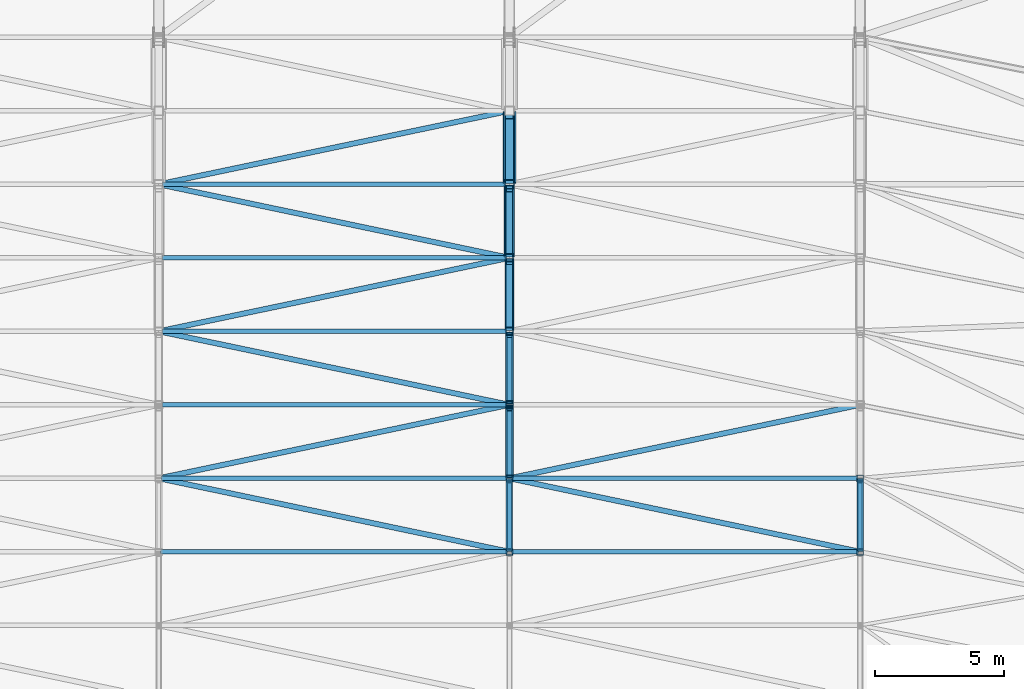
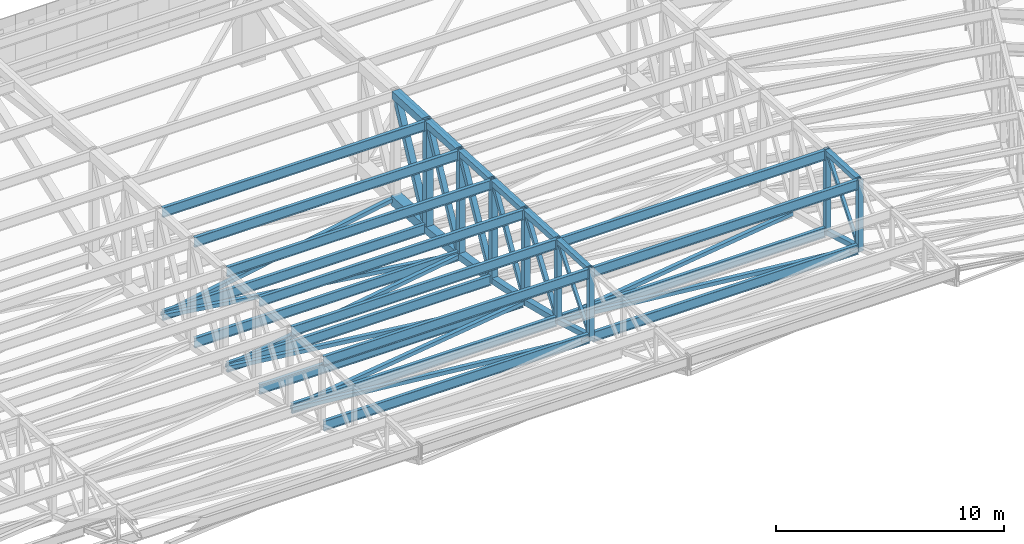
# One storey, part 86 of 278: 31 members, 22 beams.
"""IFC4 building model written with IfcOpenShell, lengths in metres."""

from ifc_helpers import new_model, si_unit, direction, frame, origin, origin_2d, place, context, subcontext, project, spatial, hollow_rectangle, i_section, extrude, material, material_profile, profile_set, type_object, element, save


model = new_model("IFC4")

# Units and contexts
model_context = context("Model", 3, precision=1e-05, world=origin(), true_north=direction((0.0, 1.0)))
body_context = subcontext(model_context, "Body", "Model", "MODEL_VIEW")
ifc_project = project(units=[si_unit("LENGTHUNIT", "METRE"), si_unit("AREAUNIT", "SQUARE_METRE"), si_unit("VOLUMEUNIT", "CUBIC_METRE"), si_unit("PLANEANGLEUNIT", "RADIAN"), si_unit("MASSUNIT", "GRAM", prefix="KILO")], contexts=[model_context])

# Site, building, storey
site_placement = place(None, origin())
site = spatial("IfcSite", under=ifc_project, at=site_placement, CompositionType="ELEMENT")
building_placement = place(site_placement, origin())
building = spatial("IfcBuilding", under=site, at=building_placement, Name="Ogive Plaza Stadium", CompositionType="ELEMENT")
storey_placement = place(building_placement, frame((0.0, 0.0, 29.0)))
storey = spatial("IfcBuildingStorey", under=building, at=storey_placement, Name="Roof", CompositionType="ELEMENT", Elevation=29.0)

# Members
ifc_material_1 = material(Name="Steel ASTM A500 Grade C", Category="steel")
ifc_material_profile_1 = material_profile(ifc_material_1, hollow_rectangle(XDim=0.203125, YDim=0.203125, WallThickness=0.0087890625, at=origin_2d()), Name="HSS8X8X3/8")
ifc_profile_set_1 = profile_set([ifc_material_profile_1], Name="Steel ASTM A500 Grade C")
member_type_1 = type_object("IfcMemberType", Name="Roof plan brace HSS8X8X3/8", PredefinedType="BRACE", material=ifc_profile_set_1)
member_1_placement = place(storey_placement, frame((20.306884765625, 72.569580078125, 3.269775390625), z_axis=(-0.977081723689, 0.204756162013, -0.058191230868), x_axis=(-0.205103719581, -0.978740243483, 0.0)))
element("IfcMember", 1, at=member_1_placement, inside=storey, type_object=member_type_1, Name="ROOF BRACE B35 4", PredefinedType="BRACE", context=body_context, shape_type="SweptSolid", body=[
    extrude(hollow_rectangle(XDim=0.203125, YDim=0.203125, WallThickness=0.0087890625, at=origin_2d()), origin(), (0.0, 0.0, 1.0), 13.702392578125),
])
member_2_placement = place(storey_placement, frame((6.91845703125, 75.4248046875, 2.459228515625), z_axis=(0.977474612888, 0.204849020574, -0.05079625901), x_axis=(-0.205113814972, 0.97873812785, 0.0)))
element("IfcMember", 2, at=member_2_placement, inside=storey, type_object=member_type_1, Name="ROOF BRACE B35 5", PredefinedType="BRACE", context=body_context, shape_type="SweptSolid", body=[
    extrude(hollow_rectangle(XDim=0.203125, YDim=0.203125, WallThickness=0.0087890625, at=origin_2d()), origin(), (0.0, 0.0, 1.0), 13.64501953125),
])
member_3_placement = place(storey_placement, frame((20.256103515625, 78.280029296875, 1.752685546875), z_axis=(-0.977965523229, 0.204948228106, -0.039744926357), x_axis=(-0.205110294312, -0.978738865667, 0.0)))
element("IfcMember", 3, at=member_3_placement, inside=storey, type_object=member_type_1, Name="ROOF BRACE B35 6", PredefinedType="BRACE", context=body_context, shape_type="SweptSolid", body=[
    extrude(hollow_rectangle(XDim=0.203125, YDim=0.203125, WallThickness=0.0087890625, at=origin_2d()), origin(), (0.0, 0.0, 1.0), 13.6123046875),
])
member_4_placement = place(storey_placement, frame((6.94384765625, 81.130126953125, 1.201416015625), z_axis=(0.978282447902, 0.205014644711, -0.030536004664), x_axis=(-0.205110294312, 0.978738865667, 0.0)))
element("IfcMember", 4, at=member_4_placement, inside=storey, type_object=member_type_1, Name="ROOF BRACE B35 7", PredefinedType="BRACE", context=body_context, shape_type="SweptSolid", body=[
    extrude(hollow_rectangle(XDim=0.203125, YDim=0.203125, WallThickness=0.0087890625, at=origin_2d()), origin(), (0.0, 0.0, 1.0), 13.607666015625),
])
member_5_placement = place(storey_placement, frame((20.256103515625, 83.980224609375, 0.778564453125), z_axis=(-0.978554365022, 0.205067940633, -0.019454933079), x_axis=(-0.205106760189, -0.978739606292, 0.0)))
element("IfcMember", 5, at=member_5_placement, inside=storey, type_object=member_type_1, Name="ROOF BRACE B35 8", PredefinedType="BRACE", context=body_context, shape_type="SweptSolid", body=[
    extrude(hollow_rectangle(XDim=0.203125, YDim=0.203125, WallThickness=0.0087890625, at=origin_2d()), origin(), (0.0, 0.0, 1.0), 13.578125),
])
member_6_placement = place(storey_placement, frame((6.96923828125, 86.83544921875, 0.50927734375), z_axis=(0.9786892756, 0.205092509512, -0.010215887981), x_axis=(-0.205103212524, 0.978740349742, 0.0)))
element("IfcMember", 6, at=member_6_placement, inside=storey, type_object=member_type_1, Name="ROOF BRACE B35 9", PredefinedType="BRACE", context=body_context, shape_type="SweptSolid", body=[
    extrude(hollow_rectangle(XDim=0.203125, YDim=0.203125, WallThickness=0.0087890625, at=origin_2d()), origin(), (0.0, 0.0, 1.0), 13.55029296875),
])
member_7_placement = place(storey_placement, frame((33.906982421875, 72.569580078125, 3.269775390625), z_axis=(-0.977081723689, 0.204756162013, -0.058191230868), x_axis=(-0.205103719581, -0.978740243483, 0.0)))
element("IfcMember", 7, at=member_7_placement, inside=storey, type_object=member_type_1, Name="ROOF BRACE B36 4", PredefinedType="BRACE", context=body_context, shape_type="SweptSolid", body=[
    extrude(hollow_rectangle(XDim=0.203125, YDim=0.203125, WallThickness=0.0087890625, at=origin_2d()), origin(), (0.0, 0.0, 1.0), 13.702392578125),
])
member_8_placement = place(storey_placement, frame((20.5185546875, 75.4248046875, 2.459228515625), z_axis=(0.977474612888, 0.204849020574, -0.05079625901), x_axis=(-0.205113814972, 0.97873812785, 0.0)))
element("IfcMember", 8, at=member_8_placement, inside=storey, type_object=member_type_1, Name="ROOF BRACE B36 5", PredefinedType="BRACE", context=body_context, shape_type="SweptSolid", body=[
    extrude(hollow_rectangle(XDim=0.203125, YDim=0.203125, WallThickness=0.0087890625, at=origin_2d()), origin(), (0.0, 0.0, 1.0), 13.64501953125),
])
ifc_material_2 = material(Name="Steel ASTM A992 Grade 50", Category="steel")
ifc_material_profile_2 = material_profile(ifc_material_2, i_section(OverallWidth=0.1650390625, OverallDepth=0.524658203125, WebThickness=0.0087890625, FlangeThickness=0.011474609375, at=origin_2d()), Name="W21X44")
ifc_profile_set_2 = profile_set([ifc_material_profile_2], Name="Steel ASTM A992 Grade 50")
member_type_2 = type_object("IfcMemberType", Name="Roof plan strut W21X44", PredefinedType="STRUT", material=ifc_profile_set_2)
member_9_placement = place(storey_placement, frame((6.87158203125, 72.550048828125, 3.275146484375), z_axis=(1.0, 0.0, 0.0), x_axis=(0.0, 1.0, 0.0)))
element("IfcMember", 9, at=member_9_placement, inside=storey, type_object=member_type_2, Name="ROOF STRUT B35 3", PredefinedType="STRUT", context=body_context, shape_type="SweptSolid", body=[
    extrude(i_section(OverallWidth=0.1650390625, OverallDepth=0.524658203125, WebThickness=0.0087890625, FlangeThickness=0.011474609375, at=origin_2d()), origin(), (0.0, 0.0, 1.0), 13.456787109375),
])
member_10_placement = place(storey_placement, frame((6.89697265625, 75.39990234375, 2.46533203125), z_axis=(1.0, 0.0, 0.0), x_axis=(0.0, 1.0, 0.0)))
element("IfcMember", 10, at=member_10_placement, inside=storey, type_object=member_type_2, Name="ROOF STRUT B35 4", PredefinedType="STRUT", context=body_context, shape_type="SweptSolid", body=[
    extrude(i_section(OverallWidth=0.1650390625, OverallDepth=0.524658203125, WebThickness=0.0087890625, FlangeThickness=0.011474609375, at=origin_2d()), origin(), (0.0, 0.0, 1.0), 13.406005859375),
])
for number, where, z_axis, x_axis, name in (
    (11, (6.92236328125, 78.25, 1.758544921875), (1.0, 0.0, 0.0), (0.0, 1.0, 0.0), "ROOF STRUT B35 5"),
    (12, (6.92236328125, 81.10009765625, 1.205810546875), (1.0, 0.0, 0.0), (0.0, 1.0, 0.0), "ROOF STRUT B35 6"),
    (13, (6.92236328125, 83.949951171875, 0.781494140625), (1.0, 0.0, 0.0), (0.0, 1.0, 0.0), "ROOF STRUT B35 7"),
):
    element("IfcMember", number, at=place(storey_placement, frame(where, z_axis=z_axis, x_axis=x_axis)), inside=storey, type_object=member_type_2, Name=name, PredefinedType="STRUT", context=body_context, shape_type="SweptSolid", body=[
        extrude(i_section(OverallWidth=0.1650390625, OverallDepth=0.524658203125, WebThickness=0.0087890625, FlangeThickness=0.011474609375, at=origin_2d()), origin(), (0.0, 0.0, 1.0), 13.355224609375),
    ])
member_11_placement = place(storey_placement, frame((6.94775390625, 86.800048828125, 0.510986328125), z_axis=(1.0, 0.0, 0.0), x_axis=(0.0, 1.0, 0.0)))
element("IfcMember", 14, at=member_11_placement, inside=storey, type_object=member_type_2, Name="ROOF STRUT B35 8", PredefinedType="STRUT", context=body_context, shape_type="SweptSolid", body=[
    extrude(i_section(OverallWidth=0.1650390625, OverallDepth=0.524658203125, WebThickness=0.0087890625, FlangeThickness=0.011474609375, at=origin_2d()), origin(), (0.0, 0.0, 1.0), 13.304443359375),
])
member_12_placement = place(storey_placement, frame((20.4716796875, 72.550048828125, 3.275146484375), z_axis=(1.0, 0.0, 0.0), x_axis=(0.0, 1.0, 0.0)))
element("IfcMember", 15, at=member_12_placement, inside=storey, type_object=member_type_2, Name="ROOF STRUT B36 3", PredefinedType="STRUT", context=body_context, shape_type="SweptSolid", body=[
    extrude(i_section(OverallWidth=0.1650390625, OverallDepth=0.524658203125, WebThickness=0.0087890625, FlangeThickness=0.011474609375, at=origin_2d()), origin(), (0.0, 0.0, 1.0), 13.456787109375),
])
member_13_placement = place(storey_placement, frame((20.4970703125, 75.39990234375, 2.46533203125), z_axis=(1.0, 0.0, 0.0), x_axis=(0.0, 1.0, 0.0)))
element("IfcMember", 16, at=member_13_placement, inside=storey, type_object=member_type_2, Name="ROOF STRUT B36 4", PredefinedType="STRUT", context=body_context, shape_type="SweptSolid", body=[
    extrude(i_section(OverallWidth=0.1650390625, OverallDepth=0.524658203125, WebThickness=0.0087890625, FlangeThickness=0.011474609375, at=origin_2d()), origin(), (0.0, 0.0, 1.0), 13.406005859375),
])
ifc_material_3 = material(Name="Steel ASTM A992 Grade 50", Category="steel")
ifc_material_profile_3 = material_profile(ifc_material_3, i_section(OverallWidth=0.1650390625, OverallDepth=0.524658203125, WebThickness=0.0087890625, FlangeThickness=0.011474609375, at=origin_2d()), Name="W21X44")
ifc_profile_set_3 = profile_set([ifc_material_profile_3], Name="Steel ASTM A992 Grade 50")
member_type_3 = type_object("IfcMemberType", Name="Roof purlin W21X44", PredefinedType="PURLIN", material=ifc_profile_set_3)
member_14_placement = place(storey_placement, frame((6.87158203125, 72.550048828125, 6.735107421875), z_axis=(1.0, 0.0, 0.0), x_axis=(0.0, 1.0, 0.0)))
element("IfcMember", 17, at=member_14_placement, inside=storey, type_object=member_type_3, Name="ROOF PURLIN B35 3", PredefinedType="PURLIN", context=body_context, shape_type="SweptSolid", body=[
    extrude(i_section(OverallWidth=0.1650390625, OverallDepth=0.524658203125, WebThickness=0.0087890625, FlangeThickness=0.011474609375, at=origin_2d()), origin(), (0.0, 0.0, 1.0), 13.456787109375),
])
member_15_placement = place(storey_placement, frame((6.89697265625, 75.39990234375, 6.592529296875), z_axis=(1.0, 0.0, 0.0), x_axis=(0.0, 1.0, 0.0)))
element("IfcMember", 18, at=member_15_placement, inside=storey, type_object=member_type_3, Name="ROOF PURLIN B35 4", PredefinedType="PURLIN", context=body_context, shape_type="SweptSolid", body=[
    extrude(i_section(OverallWidth=0.1650390625, OverallDepth=0.524658203125, WebThickness=0.0087890625, FlangeThickness=0.011474609375, at=origin_2d()), origin(), (0.0, 0.0, 1.0), 13.406005859375),
])
for number, where, z_axis, x_axis, name in (
    (19, (6.92236328125, 78.25, 6.4501953125), (1.0, 0.0, 0.0), (0.0, 1.0, 0.0), "ROOF PURLIN B35 5"),
    (20, (6.92236328125, 81.10009765625, 6.3076171875), (1.0, 0.0, 0.0), (0.0, 1.0, 0.0), "ROOF PURLIN B35 6"),
    (21, (6.92236328125, 83.949951171875, 6.1650390625), (1.0, 0.0, 0.0), (0.0, 1.0, 0.0), "ROOF PURLIN B35 7"),
):
    element("IfcMember", number, at=place(storey_placement, frame(where, z_axis=z_axis, x_axis=x_axis)), inside=storey, type_object=member_type_3, Name=name, PredefinedType="PURLIN", context=body_context, shape_type="SweptSolid", body=[
        extrude(i_section(OverallWidth=0.1650390625, OverallDepth=0.524658203125, WebThickness=0.0087890625, FlangeThickness=0.011474609375, at=origin_2d()), origin(), (0.0, 0.0, 1.0), 13.355224609375),
    ])
member_16_placement = place(storey_placement, frame((6.94775390625, 86.800048828125, 6.022705078125), z_axis=(1.0, 0.0, 0.0), x_axis=(0.0, 1.0, 0.0)))
element("IfcMember", 22, at=member_16_placement, inside=storey, type_object=member_type_3, Name="ROOF PURLIN B35 8", PredefinedType="PURLIN", context=body_context, shape_type="SweptSolid", body=[
    extrude(i_section(OverallWidth=0.1650390625, OverallDepth=0.524658203125, WebThickness=0.0087890625, FlangeThickness=0.011474609375, at=origin_2d()), origin(), (0.0, 0.0, 1.0), 13.304443359375),
])
member_17_placement = place(storey_placement, frame((20.4716796875, 72.550048828125, 6.735107421875), z_axis=(1.0, 0.0, 0.0), x_axis=(0.0, 1.0, 0.0)))
element("IfcMember", 23, at=member_17_placement, inside=storey, type_object=member_type_3, Name="ROOF PURLIN B36 3", PredefinedType="PURLIN", context=body_context, shape_type="SweptSolid", body=[
    extrude(i_section(OverallWidth=0.1650390625, OverallDepth=0.524658203125, WebThickness=0.0087890625, FlangeThickness=0.011474609375, at=origin_2d()), origin(), (0.0, 0.0, 1.0), 13.456787109375),
])
member_18_placement = place(storey_placement, frame((20.4970703125, 75.39990234375, 6.592529296875), z_axis=(1.0, 0.0, 0.0), x_axis=(0.0, 1.0, 0.0)))
element("IfcMember", 24, at=member_18_placement, inside=storey, type_object=member_type_3, Name="ROOF PURLIN B36 4", PredefinedType="PURLIN", context=body_context, shape_type="SweptSolid", body=[
    extrude(i_section(OverallWidth=0.1650390625, OverallDepth=0.524658203125, WebThickness=0.0087890625, FlangeThickness=0.011474609375, at=origin_2d()), origin(), (0.0, 0.0, 1.0), 13.406005859375),
])

# Beams
ifc_material_4 = material(Name="Steel ASTM A500 Grade C", Category="steel")
ifc_material_profile_4 = material_profile(ifc_material_4, hollow_rectangle(XDim=0.25390625, YDim=0.25390625, WallThickness=0.01171875, at=origin_2d()), Name="HSS10X10X1/2")
ifc_profile_set_4 = profile_set([ifc_material_profile_4], Name="Steel ASTM A500 Grade C")
beam_type_1 = type_object("IfcBeamType", Name="Roof truss bottom chord HSS10X10X1/2", PredefinedType="BEAM", material=ifc_profile_set_4)
for number, where, z_axis, x_axis, name in (
    (25, (20.39990234375, 72.60009765625, 3.265869140625), (0.0, 0.959640437259, -0.281229854705), (-1.0, 0.0, 0.0), "ROOF TRUSS T36 BOTTOM CHORD 4"),
    (26, (34.0, 72.60009765625, 3.265869140625), (0.0, 0.959640437259, -0.281229854705), (-1.0, 0.0, 0.0), "ROOF TRUSS T37 BOTTOM CHORD 4"),
):
    element("IfcBeam", number, at=place(storey_placement, frame(where, z_axis=z_axis, x_axis=x_axis)), inside=storey, type_object=beam_type_1, Name=name, PredefinedType="BEAM", context=body_context, shape_type="SweptSolid", body=[
        extrude(hollow_rectangle(XDim=0.25390625, YDim=0.25390625, WallThickness=0.01171875, at=origin_2d()), origin(), (0.0, 0.0, 1.0), 2.86572265625),
    ])
ifc_material_5 = material(Name="Steel ASTM A500 Grade C", Category="steel")
ifc_material_profile_5 = material_profile(ifc_material_5, hollow_rectangle(XDim=0.3046875, YDim=0.3046875, WallThickness=0.0146484375, at=origin_2d()), Name="HSS12X12X5/8")
ifc_profile_set_5 = profile_set([ifc_material_profile_5], Name="Steel ASTM A500 Grade C")
beam_type_2 = type_object("IfcBeamType", Name="Roof truss bottom chord HSS12X12X5/8", PredefinedType="BEAM", material=ifc_profile_set_5)
beam_1_placement = place(storey_placement, frame((20.39990234375, 75.449951171875, 2.45751953125), z_axis=(0.0, 0.970607032995, -0.240669872439), x_axis=(-1.0, 0.0, 0.0)))
element("IfcBeam", 27, at=beam_1_placement, inside=storey, type_object=beam_type_2, Name="ROOF TRUSS T36 BOTTOM CHORD 5", PredefinedType="BEAM", context=body_context, shape_type="SweptSolid", body=[
    extrude(hollow_rectangle(XDim=0.3046875, YDim=0.3046875, WallThickness=0.0146484375, at=origin_2d()), origin(), (0.0, 0.0, 1.0), 2.833251953125),
])
beam_2_placement = place(storey_placement, frame((20.39990234375, 78.300048828125, 1.751708984375), z_axis=(0.0, 0.980021250437, -0.19889280704), x_axis=(-1.0, 0.0, 0.0)))
element("IfcBeam", 28, at=beam_2_placement, inside=storey, type_object=beam_type_2, Name="ROOF TRUSS T36 BOTTOM CHORD 6", PredefinedType="BEAM", context=body_context, shape_type="SweptSolid", body=[
    extrude(hollow_rectangle(XDim=0.3046875, YDim=0.3046875, WallThickness=0.0146484375, at=origin_2d()), origin(), (0.0, 0.0, 1.0), 2.80615234375),
])
ifc_material_6 = material(Name="Steel ASTM A500 Grade C", Category="steel")
ifc_material_profile_6 = material_profile(ifc_material_6, hollow_rectangle(XDim=0.355712890625, YDim=0.355712890625, WallThickness=0.0146484375, at=origin_2d()), Name="HSS14X14X5/8")
ifc_profile_set_6 = profile_set([ifc_material_profile_6], Name="Steel ASTM A500 Grade C")
beam_type_3 = type_object("IfcBeamType", Name="Roof truss bottom chord HSS14X14X5/8", PredefinedType="BEAM", material=ifc_profile_set_6)
beam_3_placement = place(storey_placement, frame((20.39990234375, 81.14990234375, 1.2001953125), z_axis=(0.0, 0.987770074518, -0.155917541947), x_axis=(-1.0, 0.0, 0.0)))
element("IfcBeam", 29, at=beam_3_placement, inside=storey, type_object=beam_type_3, Name="ROOF TRUSS T36 BOTTOM CHORD 7", PredefinedType="BEAM", context=body_context, shape_type="SweptSolid", body=[
    extrude(hollow_rectangle(XDim=0.355712890625, YDim=0.355712890625, WallThickness=0.0146484375, at=origin_2d()), origin(), (0.0, 0.0, 1.0), 2.783935546875),
])
ifc_material_7 = material(Name="Steel ASTM A500 Grade C", Category="steel")
ifc_material_profile_7 = material_profile(ifc_material_7, hollow_rectangle(XDim=0.406494140625, YDim=0.406494140625, WallThickness=0.0146484375, at=origin_2d()), Name="HSS16X16X5/8")
ifc_profile_set_7 = profile_set([ifc_material_profile_7], Name="Steel ASTM A500 Grade C")
beam_type_4 = type_object("IfcBeamType", Name="Roof truss bottom chord HSS16X16X5/8", PredefinedType="BEAM", material=ifc_profile_set_7)
beam_4_placement = place(storey_placement, frame((20.39990234375, 84.0, 0.777099609375), z_axis=(0.0, 0.993703844406, -0.112038696946), x_axis=(-1.0, 0.0, 0.0)))
element("IfcBeam", 30, at=beam_4_placement, inside=storey, type_object=beam_type_4, Name="ROOF TRUSS T36 BOTTOM CHORD 8", PredefinedType="BEAM", context=body_context, shape_type="SweptSolid", body=[
    extrude(hollow_rectangle(XDim=0.406494140625, YDim=0.406494140625, WallThickness=0.0146484375, at=origin_2d()), origin(), (0.0, 0.0, 1.0), 2.767333984375),
])
ifc_material_8 = material(Name="Steel ASTM A500 Grade C", Category="steel")
ifc_material_profile_8 = material_profile(ifc_material_8, hollow_rectangle(XDim=0.508056640625, YDim=0.508056640625, WallThickness=0.0146484375, at=origin_2d()), Name="HSS20X20X5/8")
ifc_profile_set_8 = profile_set([ifc_material_profile_8], Name="Steel ASTM A500 Grade C")
beam_type_5 = type_object("IfcBeamType", Name="Roof truss bottom chord HSS20X20X5/8", PredefinedType="BEAM", material=ifc_profile_set_8)
beam_5_placement = place(storey_placement, frame((20.39990234375, 86.85009765625, 0.50830078125), z_axis=(0.0, 0.997719620387, -0.06749488199), x_axis=(-1.0, 0.0, 0.0)))
element("IfcBeam", 31, at=beam_5_placement, inside=storey, type_object=beam_type_5, Name="ROOF TRUSS T36 BOTTOM CHORD 9", PredefinedType="BEAM", context=body_context, shape_type="SweptSolid", body=[
    extrude(hollow_rectangle(XDim=0.508056640625, YDim=0.508056640625, WallThickness=0.0146484375, at=origin_2d()), origin(), (0.0, 0.0, 1.0), 2.75634765625),
])

# Members
ifc_material_9 = material(Name="Steel ASTM A500 Grade C", Category="steel")
ifc_material_profile_9 = material_profile(ifc_material_9, hollow_rectangle(XDim=0.25390625, YDim=0.25390625, WallThickness=0.0087890625, at=origin_2d()), Name="HSS10X10X3/8")
ifc_profile_set_9 = profile_set([ifc_material_profile_9], Name="Steel ASTM A500 Grade C")
member_type_4 = type_object("IfcMemberType", Name="Roof truss diagonal HSS10X10X3/8", PredefinedType="BRACE", material=ifc_profile_set_9)
member_19_placement = place(storey_placement, frame((20.39990234375, 81.25244140625, 1.383544921875), z_axis=(0.0, 0.473127942579, 0.880993728667), x_axis=(-1.0, 0.0, 0.0)))
element("IfcMember", 32, at=member_19_placement, inside=storey, type_object=member_type_4, Name="ROOF TRUSS T36 DIAGONAL 7", PredefinedType="BRACE", context=body_context, shape_type="SweptSolid", body=[
    extrude(hollow_rectangle(XDim=0.25390625, YDim=0.25390625, WallThickness=0.0087890625, at=origin_2d()), origin(), (0.0, 0.0, 1.0), 5.37939453125),
])
member_20_placement = place(storey_placement, frame((20.39990234375, 84.102294921875, 0.984619140625), z_axis=(0.0, 0.454062843231, 0.890969659639), x_axis=(-1.0, 0.0, 0.0)))
element("IfcMember", 33, at=member_20_placement, inside=storey, type_object=member_type_4, Name="ROOF TRUSS T36 DIAGONAL 8", PredefinedType="BRACE", context=body_context, shape_type="SweptSolid", body=[
    extrude(hollow_rectangle(XDim=0.25390625, YDim=0.25390625, WallThickness=0.0087890625, at=origin_2d()), origin(), (0.0, 0.0, 1.0), 5.550048828125),
])
ifc_material_10 = material(Name="Steel ASTM A500 Grade C", Category="steel")
ifc_material_profile_10 = material_profile(ifc_material_10, hollow_rectangle(XDim=0.3046875, YDim=0.3046875, WallThickness=0.0087890625, at=origin_2d()), Name="HSS12X12X3/8")
ifc_profile_set_10 = profile_set([ifc_material_profile_10], Name="Steel ASTM A500 Grade C")
member_type_5 = type_object("IfcMemberType", Name="Roof truss diagonal HSS12X12X3/8", PredefinedType="BRACE", material=ifc_profile_set_10)
member_21_placement = place(storey_placement, frame((20.39990234375, 86.977783203125, 0.764892578125), z_axis=(0.0, 0.448477330766, 0.893794206621), x_axis=(-1.0, 0.0, 0.0)))
element("IfcMember", 34, at=member_21_placement, inside=storey, type_object=member_type_5, Name="ROOF TRUSS T36 DIAGONAL 9", PredefinedType="BRACE", context=body_context, shape_type="SweptSolid", body=[
    extrude(hollow_rectangle(XDim=0.3046875, YDim=0.3046875, WallThickness=0.0087890625, at=origin_2d()), origin(), (0.0, 0.0, 1.0), 5.56201171875),
])
ifc_material_11 = material(Name="Steel ASTM A500 Grade C", Category="steel")
ifc_material_profile_11 = material_profile(ifc_material_11, hollow_rectangle(XDim=0.15234375, YDim=0.15234375, WallThickness=0.0087890625, at=origin_2d()), Name="HSS6X6X3/8")
ifc_profile_set_11 = profile_set([ifc_material_profile_11], Name="Steel ASTM A500 Grade C")
member_type_6 = type_object("IfcMemberType", Name="Roof truss diagonal HSS6X6X3/8", PredefinedType="BRACE", material=ifc_profile_set_11)
for number, where, z_axis, x_axis, name in (
    (35, (20.39990234375, 72.677001953125, 3.40234375), (0.0, 0.630150764463, 0.77647280316), (-1.0, 0.0, 0.0), "ROOF TRUSS T36 DIAGONAL 4"),
    (36, (34.0, 72.677001953125, 3.40234375), (0.0, 0.630150764463, 0.77647280316), (-1.0, 0.0, 0.0), "ROOF TRUSS T37 DIAGONAL 4"),
):
    element("IfcMember", number, at=place(storey_placement, frame(where, z_axis=z_axis, x_axis=x_axis)), inside=storey, type_object=member_type_6, Name=name, PredefinedType="BRACE", context=body_context, shape_type="SweptSolid", body=[
        extrude(hollow_rectangle(XDim=0.15234375, YDim=0.15234375, WallThickness=0.0087890625, at=origin_2d()), origin(), (0.0, 0.0, 1.0), 4.11962890625),
    ])
ifc_material_12 = material(Name="Steel ASTM A500 Grade C", Category="steel")
ifc_material_profile_12 = material_profile(ifc_material_12, hollow_rectangle(XDim=0.203125, YDim=0.203125, WallThickness=0.0087890625, at=origin_2d()), Name="HSS8X8X3/8")
ifc_profile_set_12 = profile_set([ifc_material_profile_12], Name="Steel ASTM A500 Grade C")
member_type_7 = type_object("IfcMemberType", Name="Roof truss diagonal HSS8X8X3/8", PredefinedType="BRACE", material=ifc_profile_set_12)
member_22_placement = place(storey_placement, frame((20.39990234375, 75.527099609375, 2.617919921875), z_axis=(0.0, 0.561338440243, 0.827586343233), x_axis=(-1.0, 0.0, 0.0)))
element("IfcMember", 37, at=member_22_placement, inside=storey, type_object=member_type_7, Name="ROOF TRUSS T36 DIAGONAL 5", PredefinedType="BRACE", context=body_context, shape_type="SweptSolid", body=[
    extrude(hollow_rectangle(XDim=0.203125, YDim=0.203125, WallThickness=0.0087890625, at=origin_2d()), origin(), (0.0, 0.0, 1.0), 4.579345703125),
])
member_23_placement = place(storey_placement, frame((20.39990234375, 78.40234375, 1.9111328125), z_axis=(0.0, 0.504659398762, 0.863318534054), x_axis=(-1.0, 0.0, 0.0)))
element("IfcMember", 38, at=member_23_placement, inside=storey, type_object=member_type_7, Name="ROOF TRUSS T36 DIAGONAL 6", PredefinedType="BRACE", context=body_context, shape_type="SweptSolid", body=[
    extrude(hollow_rectangle(XDim=0.203125, YDim=0.203125, WallThickness=0.0087890625, at=origin_2d()), origin(), (0.0, 0.0, 1.0), 5.043212890625),
])

# Beams
ifc_material_13 = material(Name="Steel ASTM A500 Grade C", Category="steel")
ifc_material_profile_13 = material_profile(ifc_material_13, hollow_rectangle(XDim=0.25390625, YDim=0.25390625, WallThickness=0.01171875, at=origin_2d()), Name="HSS10X10X1/2")
ifc_profile_set_13 = profile_set([ifc_material_profile_13], Name="Steel ASTM A500 Grade C")
beam_type_6 = type_object("IfcBeamType", Name="Roof truss post HSS10X10X1/2", PredefinedType="BEAM", material=ifc_profile_set_13)
beam_6_placement = place(storey_placement, frame((20.39990234375, 72.550048828125, 3.148193359375), z_axis=(0.0, 0.0, 1.0), x_axis=(-1.0, 0.0, 0.0)))
element("IfcBeam", 39, at=beam_6_placement, inside=storey, type_object=beam_type_6, Name="ROOF TRUSS T36 POST 4", PredefinedType="BEAM", context=body_context, shape_type="SweptSolid", body=[
    extrude(hollow_rectangle(XDim=0.25390625, YDim=0.25390625, WallThickness=0.01171875, at=origin_2d()), origin(), (0.0, 0.0, 1.0), 3.849365234375),
])
beam_7_placement = place(storey_placement, frame((20.39990234375, 75.39990234375, 2.31298828125), z_axis=(0.0, 0.0, 1.0), x_axis=(-1.0, 0.0, 0.0)))
element("IfcBeam", 40, at=beam_7_placement, inside=storey, type_object=beam_type_6, Name="ROOF TRUSS T36 POST 5", PredefinedType="BEAM", context=body_context, shape_type="SweptSolid", body=[
    extrude(hollow_rectangle(XDim=0.25390625, YDim=0.25390625, WallThickness=0.01171875, at=origin_2d()), origin(), (0.0, 0.0, 1.0), 4.5419921875),
])
beam_8_placement = place(storey_placement, frame((34.0, 72.550048828125, 3.148193359375), z_axis=(0.0, 0.0, 1.0), x_axis=(-1.0, 0.0, 0.0)))
element("IfcBeam", 41, at=beam_8_placement, inside=storey, type_object=beam_type_6, Name="ROOF TRUSS T37 POST 4", PredefinedType="BEAM", context=body_context, shape_type="SweptSolid", body=[
    extrude(hollow_rectangle(XDim=0.25390625, YDim=0.25390625, WallThickness=0.01171875, at=origin_2d()), origin(), (0.0, 0.0, 1.0), 3.849365234375),
])
beam_9_placement = place(storey_placement, frame((34.0, 75.39990234375, 2.31298828125), z_axis=(0.0, 0.0, 1.0), x_axis=(-1.0, 0.0, 0.0)))
element("IfcBeam", 42, at=beam_9_placement, inside=storey, type_object=beam_type_6, Name="ROOF TRUSS T37 POST 5", PredefinedType="BEAM", context=body_context, shape_type="SweptSolid", body=[
    extrude(hollow_rectangle(XDim=0.25390625, YDim=0.25390625, WallThickness=0.01171875, at=origin_2d()), origin(), (0.0, 0.0, 1.0), 4.5419921875),
])
ifc_material_14 = material(Name="Steel ASTM A500 Grade C", Category="steel")
ifc_material_profile_14 = material_profile(ifc_material_14, hollow_rectangle(XDim=0.3046875, YDim=0.3046875, WallThickness=0.01171875, at=origin_2d()), Name="HSS12X12X1/2")
ifc_profile_set_14 = profile_set([ifc_material_profile_14], Name="Steel ASTM A500 Grade C")
beam_type_7 = type_object("IfcBeamType", Name="Roof truss post HSS12X12X1/2", PredefinedType="BEAM", material=ifc_profile_set_14)
beam_10_placement = place(storey_placement, frame((20.39990234375, 78.25, 1.606201171875), z_axis=(0.0, 0.0, 1.0), x_axis=(-1.0, 0.0, 0.0)))
element("IfcBeam", 43, at=beam_10_placement, inside=storey, type_object=beam_type_7, Name="ROOF TRUSS T36 POST 6", PredefinedType="BEAM", context=body_context, shape_type="SweptSolid", body=[
    extrude(hollow_rectangle(XDim=0.3046875, YDim=0.3046875, WallThickness=0.01171875, at=origin_2d()), origin(), (0.0, 0.0, 1.0), 5.106201171875),
])
ifc_material_15 = material(Name="Steel ASTM A500 Grade C", Category="steel")
ifc_material_profile_15 = material_profile(ifc_material_15, hollow_rectangle(XDim=0.3046875, YDim=0.3046875, WallThickness=0.0146484375, at=origin_2d()), Name="HSS12X12X5/8")
ifc_profile_set_15 = profile_set([ifc_material_profile_15], Name="Steel ASTM A500 Grade C")
beam_type_8 = type_object("IfcBeamType", Name="Roof truss post HSS12X12X5/8", PredefinedType="BEAM", material=ifc_profile_set_15)
beam_11_placement = place(storey_placement, frame((20.39990234375, 81.10009765625, 1.028076171875), z_axis=(0.0, 0.0, 1.0), x_axis=(-1.0, 0.0, 0.0)))
element("IfcBeam", 44, at=beam_11_placement, inside=storey, type_object=beam_type_8, Name="ROOF TRUSS T36 POST 7", PredefinedType="BEAM", context=body_context, shape_type="SweptSolid", body=[
    extrude(hollow_rectangle(XDim=0.3046875, YDim=0.3046875, WallThickness=0.0146484375, at=origin_2d()), origin(), (0.0, 0.0, 1.0), 5.5419921875),
])
beam_12_placement = place(storey_placement, frame((20.39990234375, 83.949951171875, 0.578369140625), z_axis=(0.0, 0.0, 1.0), x_axis=(-1.0, 0.0, 0.0)))
element("IfcBeam", 45, at=beam_12_placement, inside=storey, type_object=beam_type_8, Name="ROOF TRUSS T36 POST 8", PredefinedType="BEAM", context=body_context, shape_type="SweptSolid", body=[
    extrude(hollow_rectangle(XDim=0.3046875, YDim=0.3046875, WallThickness=0.0146484375, at=origin_2d()), origin(), (0.0, 0.0, 1.0), 5.84912109375),
])
ifc_material_16 = material(Name="Steel ASTM A500 Grade C", Category="steel")
ifc_material_profile_16 = material_profile(ifc_material_16, hollow_rectangle(XDim=0.355712890625, YDim=0.355712890625, WallThickness=0.0146484375, at=origin_2d()), Name="HSS14X14X5/8")
ifc_profile_set_16 = profile_set([ifc_material_profile_16], Name="Steel ASTM A500 Grade C")
beam_type_9 = type_object("IfcBeamType", Name="Roof truss post HSS14X14X5/8", PredefinedType="BEAM", material=ifc_profile_set_16)
beam_13_placement = place(storey_placement, frame((20.39990234375, 86.800048828125, 0.257080078125), z_axis=(0.0, 0.0, 1.0), x_axis=(-1.0, 0.0, 0.0)))
element("IfcBeam", 46, at=beam_13_placement, inside=storey, type_object=beam_type_9, Name="ROOF TRUSS T36 POST 9", PredefinedType="BEAM", context=body_context, shape_type="SweptSolid", body=[
    extrude(hollow_rectangle(XDim=0.355712890625, YDim=0.355712890625, WallThickness=0.0146484375, at=origin_2d()), origin(), (0.0, 0.0, 1.0), 6.02783203125),
])
ifc_material_17 = material(Name="Steel ASTM A500 Grade C", Category="steel")
ifc_material_profile_17 = material_profile(ifc_material_17, hollow_rectangle(XDim=0.25390625, YDim=0.25390625, WallThickness=0.0087890625, at=origin_2d()), Name="HSS10X10X3/8")
ifc_profile_set_17 = profile_set([ifc_material_profile_17], Name="Steel ASTM A500 Grade C")
beam_type_10 = type_object("IfcBeamType", Name="Roof truss top chord HSS10X10X3/8", PredefinedType="BEAM", material=ifc_profile_set_17)
for number, where, z_axis, x_axis, name in (
    (47, (20.39990234375, 72.60009765625, 6.867919921875), (0.0, 0.998748798523, -0.05000837379), (-1.0, 0.0, 0.0), "ROOF TRUSS T36 TOP CHORD 4"),
    (48, (34.0, 72.60009765625, 6.867919921875), (0.0, 0.998748798523, -0.05000837379), (-1.0, 0.0, 0.0), "ROOF TRUSS T37 TOP CHORD 4"),
):
    element("IfcBeam", number, at=place(storey_placement, frame(where, z_axis=z_axis, x_axis=x_axis)), inside=storey, type_object=beam_type_10, Name=name, PredefinedType="BEAM", context=body_context, shape_type="SweptSolid", body=[
        extrude(hollow_rectangle(XDim=0.25390625, YDim=0.25390625, WallThickness=0.0087890625, at=origin_2d()), origin(), (0.0, 0.0, 1.0), 2.75341796875),
    ])
ifc_material_18 = material(Name="Steel ASTM A500 Grade C", Category="steel")
ifc_material_profile_18 = material_profile(ifc_material_18, hollow_rectangle(XDim=0.3046875, YDim=0.3046875, WallThickness=0.01171875, at=origin_2d()), Name="HSS12X12X1/2")
ifc_profile_set_18 = profile_set([ifc_material_profile_18], Name="Steel ASTM A500 Grade C")
beam_type_11 = type_object("IfcBeamType", Name="Roof truss top chord HSS12X12X1/2", PredefinedType="BEAM", material=ifc_profile_set_18)
beam_14_placement = place(storey_placement, frame((20.39990234375, 81.14990234375, 6.414794921875), z_axis=(0.0, 0.998753223187, -0.049919927615), x_axis=(-1.0, 0.0, 0.0)))
element("IfcBeam", 49, at=beam_14_placement, inside=storey, type_object=beam_type_11, Name="ROOF TRUSS T36 TOP CHORD 7", PredefinedType="BEAM", context=body_context, shape_type="SweptSolid", body=[
    extrude(hollow_rectangle(XDim=0.3046875, YDim=0.3046875, WallThickness=0.01171875, at=origin_2d()), origin(), (0.0, 0.0, 1.0), 2.75341796875),
])
ifc_material_19 = material(Name="Steel ASTM A500 Grade C", Category="steel")
ifc_material_profile_19 = material_profile(ifc_material_19, hollow_rectangle(XDim=0.3046875, YDim=0.3046875, WallThickness=0.0087890625, at=origin_2d()), Name="HSS12X12X3/8")
ifc_profile_set_19 = profile_set([ifc_material_profile_19], Name="Steel ASTM A500 Grade C")
beam_type_12 = type_object("IfcBeamType", Name="Roof truss top chord HSS12X12X3/8", PredefinedType="BEAM", material=ifc_profile_set_19)
for number, where, z_axis, x_axis, name in (
    (50, (20.39990234375, 75.449951171875, 6.699951171875), (0.0, 0.998753223187, -0.049919927615), (-1.0, 0.0, 0.0), "ROOF TRUSS T36 TOP CHORD 5"),
    (51, (20.39990234375, 78.300048828125, 6.557373046875), (0.0, 0.998753223187, -0.049919927615), (-1.0, 0.0, 0.0), "ROOF TRUSS T36 TOP CHORD 6"),
):
    element("IfcBeam", number, at=place(storey_placement, frame(where, z_axis=z_axis, x_axis=x_axis)), inside=storey, type_object=beam_type_12, Name=name, PredefinedType="BEAM", context=body_context, shape_type="SweptSolid", body=[
        extrude(hollow_rectangle(XDim=0.3046875, YDim=0.3046875, WallThickness=0.0087890625, at=origin_2d()), origin(), (0.0, 0.0, 1.0), 2.75341796875),
    ])
ifc_material_20 = material(Name="Steel ASTM A500 Grade C", Category="steel")
ifc_material_profile_20 = material_profile(ifc_material_20, hollow_rectangle(XDim=0.355712890625, YDim=0.355712890625, WallThickness=0.01171875, at=origin_2d()), Name="HSS14X14X1/2")
ifc_profile_set_20 = profile_set([ifc_material_profile_20], Name="Steel ASTM A500 Grade C")
beam_type_13 = type_object("IfcBeamType", Name="Roof truss top chord HSS14X14X1/2", PredefinedType="BEAM", material=ifc_profile_set_20)
beam_15_placement = place(storey_placement, frame((20.39990234375, 84.0, 6.2470703125), z_axis=(0.0, 0.998748798523, -0.05000837379), x_axis=(-1.0, 0.0, 0.0)))
element("IfcBeam", 52, at=beam_15_placement, inside=storey, type_object=beam_type_13, Name="ROOF TRUSS T36 TOP CHORD 8", PredefinedType="BEAM", context=body_context, shape_type="SweptSolid", body=[
    extrude(hollow_rectangle(XDim=0.355712890625, YDim=0.355712890625, WallThickness=0.01171875, at=origin_2d()), origin(), (0.0, 0.0, 1.0), 2.75341796875),
])
ifc_material_21 = material(Name="Steel ASTM A500 Grade C", Category="steel")
ifc_material_profile_21 = material_profile(ifc_material_21, hollow_rectangle(XDim=0.406494140625, YDim=0.406494140625, WallThickness=0.01171875, at=origin_2d()), Name="HSS16X16X1/2")
ifc_profile_set_21 = profile_set([ifc_material_profile_21], Name="Steel ASTM A500 Grade C")
beam_type_14 = type_object("IfcBeamType", Name="Roof truss top chord HSS16X16X1/2", PredefinedType="BEAM", material=ifc_profile_set_21)
beam_16_placement = place(storey_placement, frame((20.39990234375, 86.85009765625, 6.0791015625), z_axis=(0.0, 0.998753223187, -0.049919927615), x_axis=(-1.0, 0.0, 0.0)))
element("IfcBeam", 53, at=beam_16_placement, inside=storey, type_object=beam_type_14, Name="ROOF TRUSS T36 TOP CHORD 9", PredefinedType="BEAM", context=body_context, shape_type="SweptSolid", body=[
    extrude(hollow_rectangle(XDim=0.406494140625, YDim=0.406494140625, WallThickness=0.01171875, at=origin_2d()), origin(), (0.0, 0.0, 1.0), 2.75341796875),
])

save(model, "model.ifc")
